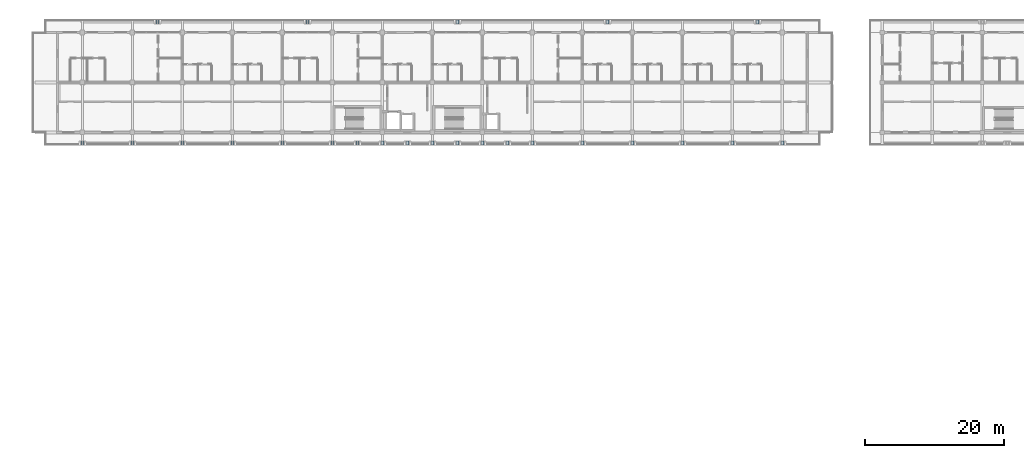
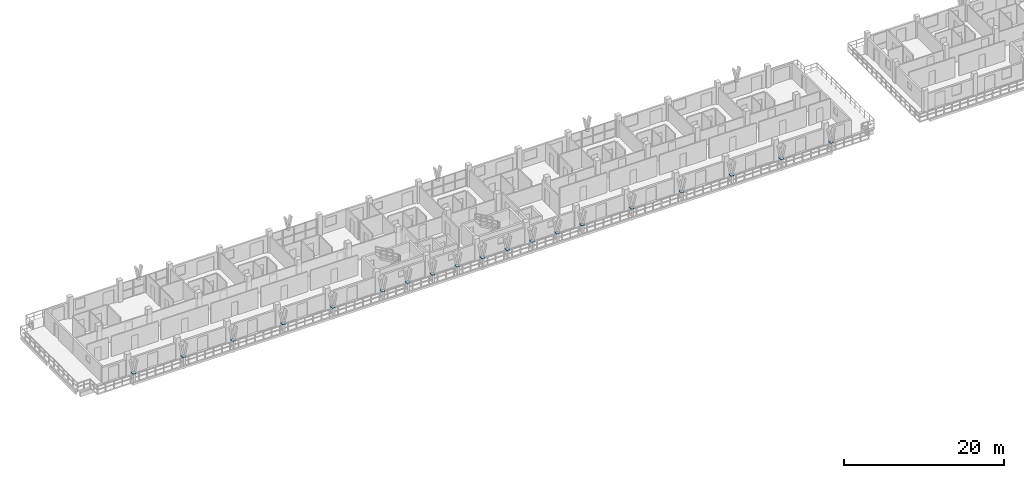
# One storey, part 36 of 75: 24 plates.
"""IFC4 building model written with IfcOpenShell, lengths in metres."""

from ifc_helpers import new_model, si_unit, direction, frame, origin, origin_2d, place, context, subcontext, project, spatial, rectangle, extrude, material, layer, layer_set, type_object, element, save


model = new_model("IFC4")

# Units and contexts
model_context = context("Model", 3, precision=1e-05, world=origin(), true_north=direction((0.0, 1.0)))
body_context = subcontext(model_context, "Body", "Model", "MODEL_VIEW")
ifc_project = project(units=[si_unit("LENGTHUNIT", "METRE"), si_unit("AREAUNIT", "SQUARE_METRE"), si_unit("VOLUMEUNIT", "CUBIC_METRE"), si_unit("PLANEANGLEUNIT", "RADIAN"), si_unit("MASSUNIT", "GRAM", prefix="KILO")], contexts=[model_context])

# Site, building, storey
site_placement = place(None, origin())
site = spatial("IfcSite", under=ifc_project, at=site_placement, CompositionType="ELEMENT")
building_placement = place(site_placement, origin())
building = spatial("IfcBuilding", under=site, at=building_placement, Name="Suanplinth Sawtooth Commons", CompositionType="ELEMENT")
storey_placement = place(building_placement, frame((0.0, 0.0, 18.60009765625)))
storey = spatial("IfcBuildingStorey", under=building, at=storey_placement, Name="L05", CompositionType="ELEMENT", Elevation=18.60009765625)

# Plates
ifc_material = material(Name="Pigmented precast concrete C40/50", Category="concrete")
ifc_layer = layer(ifc_material, 0.06005859375, Name="Precast Y-blade bifurcation node plate 60mm")
ifc_layer_set = layer_set([ifc_layer], Name="Pigmented precast concrete C40/50")
plate_type = type_object("IfcPlateType", Name="PL-04", PredefinedType="USERDEFINED", material=ifc_layer_set)
for number, where, z_axis, x_axis, name in (
    (1, (18.0, 123.919921875, 1.119873046875), (0.0, 0.0, 1.0), (1.0, 0.0, 0.0), "Y-Blade Node Plate L05-A-N-01"),
    (2, (39.60009765625, 123.919921875, 1.119873046875), (0.0, 0.0, 1.0), (1.0, 0.0, 0.0), "Y-Blade Node Plate L05-A-N-02"),
    (3, (61.199951171875, 123.919921875, 1.119873046875), (0.0, 0.0, 1.0), (1.0, 0.0, 0.0), "Y-Blade Node Plate L05-A-N-03"),
    (4, (82.800048828125, 123.919921875, 1.119873046875), (0.0, 0.0, 1.0), (1.0, 0.0, 0.0), "Y-Blade Node Plate L05-A-N-04"),
    (5, (104.39990234375, 123.919921875, 1.119873046875), (0.0, 0.0, 1.0), (1.0, 0.0, 0.0), "Y-Blade Node Plate L05-A-N-05"),
    (6, (7.199951171875, 106.47998046875, 1.119873046875), (0.0, 0.0, 1.0), (1.0, 0.0, 0.0), "Y-Blade Node Plate L05-A-S-06"),
    (7, (14.39990234375, 106.47998046875, 1.119873046875), (0.0, 0.0, 1.0), (1.0, 0.0, 0.0), "Y-Blade Node Plate L05-A-S-07"),
    (8, (21.60009765625, 106.47998046875, 1.119873046875), (0.0, 0.0, 1.0), (1.0, 0.0, 0.0), "Y-Blade Node Plate L05-A-S-08"),
    (9, (28.800048828125, 106.47998046875, 1.119873046875), (0.0, 0.0, 1.0), (1.0, 0.0, 0.0), "Y-Blade Node Plate L05-A-S-09"),
    (10, (36.0, 106.47998046875, 1.119873046875), (0.0, 0.0, 1.0), (1.0, 0.0, 0.0), "Y-Blade Node Plate L05-A-S-10"),
    (11, (43.199951171875, 106.47998046875, 1.119873046875), (0.0, 0.0, 1.0), (1.0, 0.0, 0.0), "Y-Blade Node Plate L05-A-S-11"),
    (12, (46.800048828125, 106.47998046875, 1.119873046875), (0.0, 0.0, 1.0), (1.0, 0.0, 0.0), "Y-Blade Node Plate L05-A-S-12"),
    (13, (50.39990234375, 106.47998046875, 1.119873046875), (0.0, 0.0, 1.0), (1.0, 0.0, 0.0), "Y-Blade Node Plate L05-A-S-13"),
    (14, (54.0, 106.47998046875, 1.119873046875), (0.0, 0.0, 1.0), (1.0, 0.0, 0.0), "Y-Blade Node Plate L05-A-S-14"),
    (15, (57.60009765625, 106.47998046875, 1.119873046875), (0.0, 0.0, 1.0), (1.0, 0.0, 0.0), "Y-Blade Node Plate L05-A-S-15"),
    (16, (61.199951171875, 106.47998046875, 1.119873046875), (0.0, 0.0, 1.0), (1.0, 0.0, 0.0), "Y-Blade Node Plate L05-A-S-16"),
    (17, (64.800048828125, 106.47998046875, 1.119873046875), (0.0, 0.0, 1.0), (1.0, 0.0, 0.0), "Y-Blade Node Plate L05-A-S-17"),
    (18, (68.39990234375, 106.47998046875, 1.119873046875), (0.0, 0.0, 1.0), (1.0, 0.0, 0.0), "Y-Blade Node Plate L05-A-S-18"),
    (19, (72.0, 106.47998046875, 1.119873046875), (0.0, 0.0, 1.0), (1.0, 0.0, 0.0), "Y-Blade Node Plate L05-A-S-19"),
    (20, (79.199951171875, 106.47998046875, 1.119873046875), (0.0, 0.0, 1.0), (1.0, 0.0, 0.0), "Y-Blade Node Plate L05-A-S-20"),
    (21, (86.39990234375, 106.47998046875, 1.119873046875), (0.0, 0.0, 1.0), (1.0, 0.0, 0.0), "Y-Blade Node Plate L05-A-S-21"),
    (22, (93.60009765625, 106.47998046875, 1.119873046875), (0.0, 0.0, 1.0), (1.0, 0.0, 0.0), "Y-Blade Node Plate L05-A-S-22"),
    (23, (100.800048828125, 106.47998046875, 1.119873046875), (0.0, 0.0, 1.0), (1.0, 0.0, 0.0), "Y-Blade Node Plate L05-A-S-23"),
    (24, (108.0, 106.47998046875, 1.119873046875), (0.0, 0.0, 1.0), (1.0, 0.0, 0.0), "Y-Blade Node Plate L05-A-S-24"),
):
    element("IfcPlate", number, at=place(storey_placement, frame(where, z_axis=z_axis, x_axis=x_axis)), inside=storey, type_object=plate_type, Name=name, ObjectType="GUSSET PLATE", PredefinedType="USERDEFINED", context=body_context, shape_type="SweptSolid", body=[
        extrude(rectangle(XDim=0.43994140625, YDim=0.550048828125, at=origin_2d()), origin(), (0.0, 0.0, 1.0), 0.06005859375),
    ])

save(model, "model.ifc")
